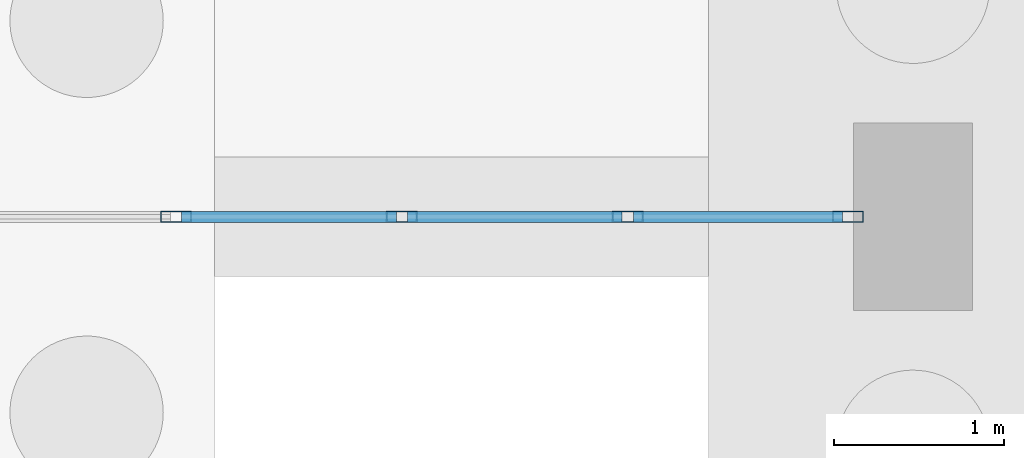
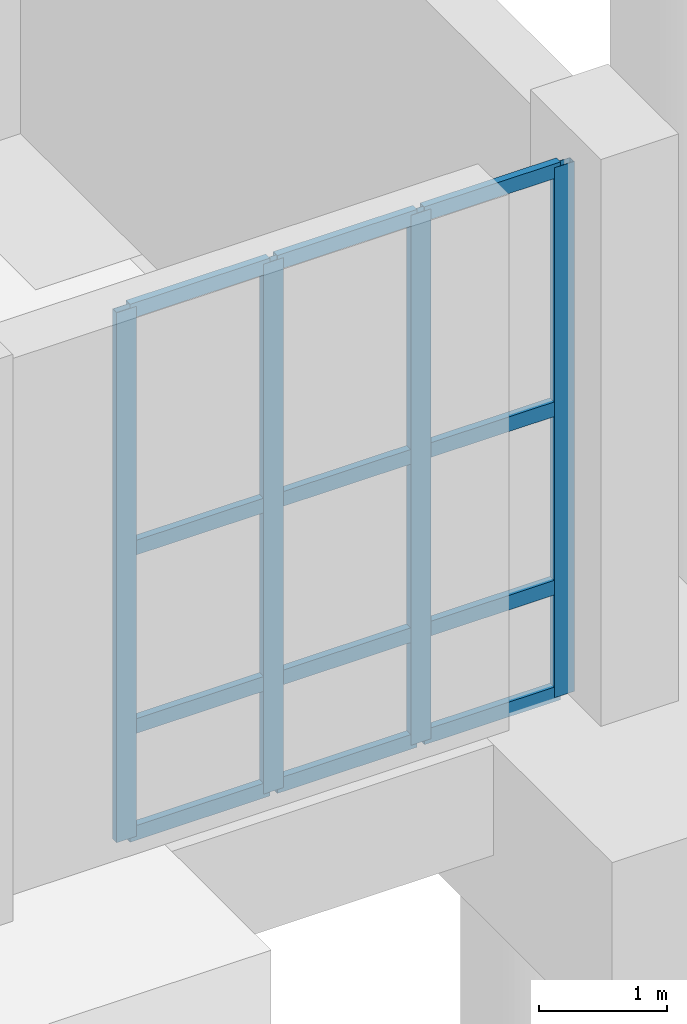
# One storey, part 35 of 69: 16 members, 1 element without a shape of its own.
"""IFC4 building model written with IfcOpenShell, lengths in metres."""

from ifc_helpers import new_model, si_unit, direction, frame, origin, origin_2d, place, context, subcontext, project, spatial, hollow_rectangle, extrude, material, layer, layer_set, material_profile, profile_set, type_object, element, aggregate, save


model = new_model("IFC4")

# Units and contexts
model_context = context("Model", 3, precision=1e-05, world=origin(), true_north=direction((0.0, 1.0)))
body_context = subcontext(model_context, "Body", "Model", "MODEL_VIEW")
ifc_project = project(units=[si_unit("LENGTHUNIT", "METRE"), si_unit("AREAUNIT", "SQUARE_METRE"), si_unit("VOLUMEUNIT", "CUBIC_METRE"), si_unit("PLANEANGLEUNIT", "RADIAN"), si_unit("MASSUNIT", "GRAM", prefix="KILO")], contexts=[model_context])

# Site, building, storey
site_placement = place(None, origin())
site = spatial("IfcSite", under=ifc_project, at=site_placement, CompositionType="ELEMENT")
building_placement = place(site_placement, origin())
building = spatial("IfcBuilding", under=site, at=building_placement, Name="Vaelkrest Opera House", CompositionType="ELEMENT")
storey_placement = place(building_placement, frame((0.0, 0.0, -5.39990234375)))
storey = spatial("IfcBuildingStorey", under=building, at=storey_placement, Name="B1", CompositionType="ELEMENT", Elevation=-5.39990234375)

# Curtain wall, members
ifc_material = material(Name="Dark bronze anodized aluminium", Category="aluminium")
ifc_layer = layer(ifc_material, 0.179931640625)
ifc_layer_set = layer_set([ifc_layer], Name="Dark bronze anodized aluminium")
curtain_wall_type = type_object("IfcCurtainWallType", Name="CW01", PredefinedType="NOTDEFINED", material=ifc_layer_set)
curtain_wall_placement = place(storey_placement, origin())
curtain_wall = element("IfcCurtainWall", 1, at=curtain_wall_placement, inside=storey, type_object=curtain_wall_type, Name="Curtain wall CW-B1-001", PredefinedType="NOTDEFINED")
ifc_material_profile_1 = material_profile(ifc_material, hollow_rectangle(XDim=0.06494140625, YDim=0.179931640625, WallThickness=0.00390625, at=origin_2d()), Name="CWM65X180")
ifc_profile_set_1 = profile_set([ifc_material_profile_1], Name="Dark bronze anodized aluminium")
member_type_1 = type_object("IfcMemberType", Name="CWM01", PredefinedType="MULLION", material=ifc_profile_set_1)
member_1_placement = place(storey_placement, frame((29.619384765625, -55.800048828125, 0.0), z_axis=(0.0, 0.0, 1.0), x_axis=(0.0, -1.0, 0.0)))
member_1 = element("IfcMember", 2, at=member_1_placement, type_object=member_type_1, Name="CW01 mullion 1", PredefinedType="MULLION", context=body_context, shape_type="SweptSolid", body=[
    extrude(hollow_rectangle(XDim=0.06494140625, YDim=0.179931640625, WallThickness=0.00390625, at=origin_2d()), origin(), (0.0, 0.0, 1.0), 5.0498046875),
])
member_2_placement = place(storey_placement, frame((28.325927734375, -55.800048828125, 0.0), z_axis=(0.0, 0.0, 1.0), x_axis=(0.0, -1.0, 0.0)))
member_2 = element("IfcMember", 3, at=member_2_placement, type_object=member_type_1, Name="CW01 mullion 2", PredefinedType="MULLION", context=body_context, shape_type="SweptSolid", body=[
    extrude(hollow_rectangle(XDim=0.06494140625, YDim=0.179931640625, WallThickness=0.00390625, at=origin_2d()), origin(), (0.0, 0.0, 1.0), 5.0498046875),
])
member_3_placement = place(storey_placement, frame((27.0, -55.800048828125, 0.0), z_axis=(0.0, 0.0, 1.0), x_axis=(0.0, -1.0, 0.0)))
member_3 = element("IfcMember", 4, at=member_3_placement, type_object=member_type_1, Name="CW01 mullion 3", PredefinedType="MULLION", context=body_context, shape_type="SweptSolid", body=[
    extrude(hollow_rectangle(XDim=0.06494140625, YDim=0.179931640625, WallThickness=0.00390625, at=origin_2d()), origin(), (0.0, 0.0, 1.0), 5.0498046875),
])
member_4_placement = place(storey_placement, frame((25.674072265625, -55.800048828125, 0.0), z_axis=(0.0, 0.0, 1.0), x_axis=(0.0, -1.0, 0.0)))
member_4 = element("IfcMember", 5, at=member_4_placement, type_object=member_type_1, Name="CW01 mullion 4", PredefinedType="MULLION", context=body_context, shape_type="SweptSolid", body=[
    extrude(hollow_rectangle(XDim=0.06494140625, YDim=0.179931640625, WallThickness=0.00390625, at=origin_2d()), origin(), (0.0, 0.0, 1.0), 5.0498046875),
])
ifc_material_profile_2 = material_profile(ifc_material, hollow_rectangle(XDim=0.06494140625, YDim=0.139892578125, WallThickness=0.00390625, at=origin_2d()), Name="CWT65X140")
ifc_profile_set_2 = profile_set([ifc_material_profile_2], Name="Dark bronze anodized aluminium")
member_type_2 = type_object("IfcMemberType", Name="CWT01", PredefinedType="USERDEFINED", material=ifc_profile_set_2)
member_5_placement = place(storey_placement, frame((29.5869140625, -55.800048828125, 0.032470703125), z_axis=(-1.0, 0.0, 0.0), x_axis=(0.0, -1.0, 0.0)))
member_5 = element("IfcMember", 6, at=member_5_placement, type_object=member_type_2, Name="CW01 transom 1.1", ObjectType="TRANSOM", PredefinedType="USERDEFINED", context=body_context, shape_type="SweptSolid", body=[
    extrude(hollow_rectangle(XDim=0.06494140625, YDim=0.139892578125, WallThickness=0.00390625, at=origin_2d()), origin(), (0.0, 0.0, 1.0), 1.228515625),
])
member_6_placement = place(storey_placement, frame((29.5869140625, -55.800048828125, 1.0498046875), z_axis=(-1.0, 0.0, 0.0), x_axis=(0.0, -1.0, 0.0)))
member_6 = element("IfcMember", 7, at=member_6_placement, type_object=member_type_2, Name="CW01 transom 1.2", ObjectType="TRANSOM", PredefinedType="USERDEFINED", context=body_context, shape_type="SweptSolid", body=[
    extrude(hollow_rectangle(XDim=0.06494140625, YDim=0.139892578125, WallThickness=0.00390625, at=origin_2d()), origin(), (0.0, 0.0, 1.0), 1.228515625),
])
member_7_placement = place(storey_placement, frame((29.5869140625, -55.800048828125, 2.75), z_axis=(-1.0, 0.0, 0.0), x_axis=(0.0, -1.0, 0.0)))
member_7 = element("IfcMember", 8, at=member_7_placement, type_object=member_type_2, Name="CW01 transom 1.3", ObjectType="TRANSOM", PredefinedType="USERDEFINED", context=body_context, shape_type="SweptSolid", body=[
    extrude(hollow_rectangle(XDim=0.06494140625, YDim=0.139892578125, WallThickness=0.00390625, at=origin_2d()), origin(), (0.0, 0.0, 1.0), 1.228515625),
])
member_8_placement = place(storey_placement, frame((29.5869140625, -55.800048828125, 5.017333984375), z_axis=(-1.0, 0.0, 0.0), x_axis=(0.0, -1.0, 0.0)))
member_8 = element("IfcMember", 9, at=member_8_placement, type_object=member_type_2, Name="CW01 transom 1.4", ObjectType="TRANSOM", PredefinedType="USERDEFINED", context=body_context, shape_type="SweptSolid", body=[
    extrude(hollow_rectangle(XDim=0.06494140625, YDim=0.139892578125, WallThickness=0.00390625, at=origin_2d()), origin(), (0.0, 0.0, 1.0), 1.228515625),
])
member_9_placement = place(storey_placement, frame((28.29345703125, -55.800048828125, 0.032470703125), z_axis=(-1.0, 0.0, 0.0), x_axis=(0.0, -1.0, 0.0)))
member_9 = element("IfcMember", 10, at=member_9_placement, type_object=member_type_2, Name="CW01 transom 2.1", ObjectType="TRANSOM", PredefinedType="USERDEFINED", context=body_context, shape_type="SweptSolid", body=[
    extrude(hollow_rectangle(XDim=0.06494140625, YDim=0.139892578125, WallThickness=0.00390625, at=origin_2d()), origin(), (0.0, 0.0, 1.0), 1.260986328125),
])
member_10_placement = place(storey_placement, frame((28.29345703125, -55.800048828125, 1.0498046875), z_axis=(-1.0, 0.0, 0.0), x_axis=(0.0, -1.0, 0.0)))
member_10 = element("IfcMember", 11, at=member_10_placement, type_object=member_type_2, Name="CW01 transom 2.2", ObjectType="TRANSOM", PredefinedType="USERDEFINED", context=body_context, shape_type="SweptSolid", body=[
    extrude(hollow_rectangle(XDim=0.06494140625, YDim=0.139892578125, WallThickness=0.00390625, at=origin_2d()), origin(), (0.0, 0.0, 1.0), 1.260986328125),
])
member_11_placement = place(storey_placement, frame((28.29345703125, -55.800048828125, 2.75), z_axis=(-1.0, 0.0, 0.0), x_axis=(0.0, -1.0, 0.0)))
member_11 = element("IfcMember", 12, at=member_11_placement, type_object=member_type_2, Name="CW01 transom 2.3", ObjectType="TRANSOM", PredefinedType="USERDEFINED", context=body_context, shape_type="SweptSolid", body=[
    extrude(hollow_rectangle(XDim=0.06494140625, YDim=0.139892578125, WallThickness=0.00390625, at=origin_2d()), origin(), (0.0, 0.0, 1.0), 1.260986328125),
])
member_12_placement = place(storey_placement, frame((28.29345703125, -55.800048828125, 5.017333984375), z_axis=(-1.0, 0.0, 0.0), x_axis=(0.0, -1.0, 0.0)))
member_12 = element("IfcMember", 13, at=member_12_placement, type_object=member_type_2, Name="CW01 transom 2.4", ObjectType="TRANSOM", PredefinedType="USERDEFINED", context=body_context, shape_type="SweptSolid", body=[
    extrude(hollow_rectangle(XDim=0.06494140625, YDim=0.139892578125, WallThickness=0.00390625, at=origin_2d()), origin(), (0.0, 0.0, 1.0), 1.260986328125),
])
member_13_placement = place(storey_placement, frame((26.967529296875, -55.800048828125, 0.032470703125), z_axis=(-1.0, 0.0, 0.0), x_axis=(0.0, -1.0, 0.0)))
member_13 = element("IfcMember", 14, at=member_13_placement, type_object=member_type_2, Name="CW01 transom 3.1", ObjectType="TRANSOM", PredefinedType="USERDEFINED", context=body_context, shape_type="SweptSolid", body=[
    extrude(hollow_rectangle(XDim=0.06494140625, YDim=0.139892578125, WallThickness=0.00390625, at=origin_2d()), origin(), (0.0, 0.0, 1.0), 1.260986328125),
])
member_14_placement = place(storey_placement, frame((26.967529296875, -55.800048828125, 1.0498046875), z_axis=(-1.0, 0.0, 0.0), x_axis=(0.0, -1.0, 0.0)))
member_14 = element("IfcMember", 15, at=member_14_placement, type_object=member_type_2, Name="CW01 transom 3.2", ObjectType="TRANSOM", PredefinedType="USERDEFINED", context=body_context, shape_type="SweptSolid", body=[
    extrude(hollow_rectangle(XDim=0.06494140625, YDim=0.139892578125, WallThickness=0.00390625, at=origin_2d()), origin(), (0.0, 0.0, 1.0), 1.260986328125),
])
member_15_placement = place(storey_placement, frame((26.967529296875, -55.800048828125, 2.75), z_axis=(-1.0, 0.0, 0.0), x_axis=(0.0, -1.0, 0.0)))
member_15 = element("IfcMember", 16, at=member_15_placement, type_object=member_type_2, Name="CW01 transom 3.3", ObjectType="TRANSOM", PredefinedType="USERDEFINED", context=body_context, shape_type="SweptSolid", body=[
    extrude(hollow_rectangle(XDim=0.06494140625, YDim=0.139892578125, WallThickness=0.00390625, at=origin_2d()), origin(), (0.0, 0.0, 1.0), 1.260986328125),
])
member_16_placement = place(storey_placement, frame((26.967529296875, -55.800048828125, 5.017333984375), z_axis=(-1.0, 0.0, 0.0), x_axis=(0.0, -1.0, 0.0)))
member_16 = element("IfcMember", 17, at=member_16_placement, type_object=member_type_2, Name="CW01 transom 3.4", ObjectType="TRANSOM", PredefinedType="USERDEFINED", context=body_context, shape_type="SweptSolid", body=[
    extrude(hollow_rectangle(XDim=0.06494140625, YDim=0.139892578125, WallThickness=0.00390625, at=origin_2d()), origin(), (0.0, 0.0, 1.0), 1.260986328125),
])
aggregate(curtain_wall, [member_1, member_2, member_3, member_4, member_5, member_6, member_7, member_8, member_9, member_10, member_11, member_12, member_13, member_14, member_15, member_16])

save(model, "model.ifc")
